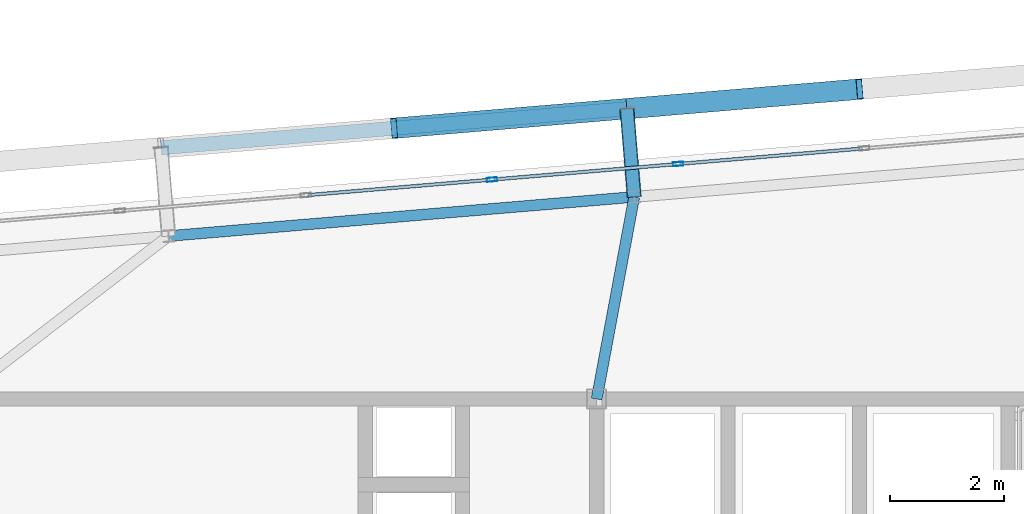
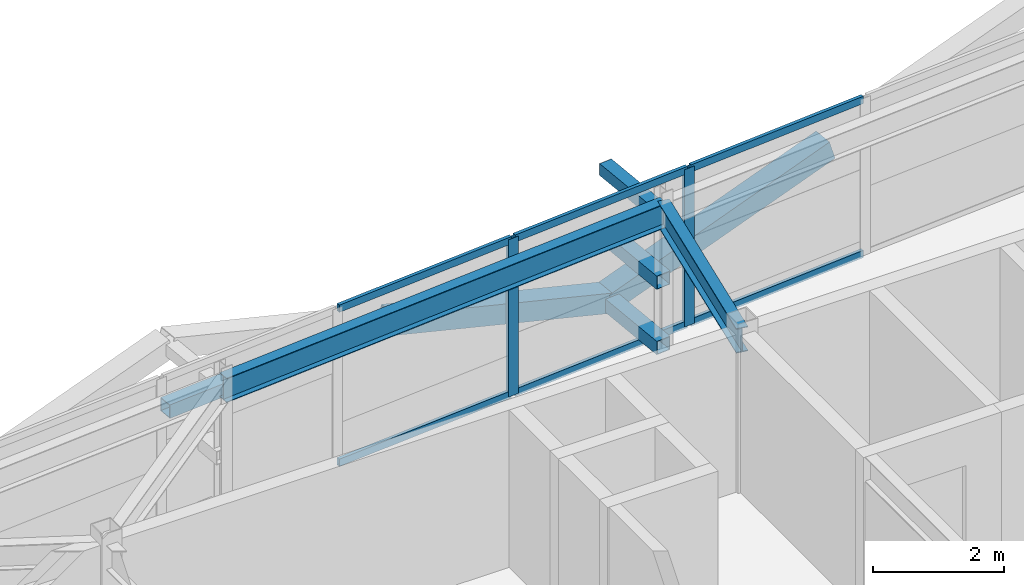
# One storey, part 29 of 46: 14 members, 2 beams, 1 element without a shape of its own.
"""IFC4 building model written with IfcOpenShell, lengths in metres."""

from ifc_helpers import new_model, si_unit, direction, frame, origin, origin_2d, place, context, subcontext, project, spatial, hollow_rectangle, i_section, extrude, source, transform, mapped, material, layer, layer_set, material_profile, profile_set, type_object, element, aggregate, save


model = new_model("IFC4")

# Units and contexts
model_context = context("Model", 3, precision=1e-05, world=origin(), true_north=direction((0.0, 1.0)))
body_context = subcontext(model_context, "Body", "Model", "MODEL_VIEW")
ifc_project = project(units=[si_unit("LENGTHUNIT", "METRE"), si_unit("AREAUNIT", "SQUARE_METRE"), si_unit("VOLUMEUNIT", "CUBIC_METRE"), si_unit("PLANEANGLEUNIT", "RADIAN"), si_unit("MASSUNIT", "GRAM", prefix="KILO")], contexts=[model_context])

# Site, building, storey
site_placement = place(None, origin())
site = spatial("IfcSite", under=ifc_project, at=site_placement, CompositionType="ELEMENT")
building_placement = place(site_placement, origin())
building = spatial("IfcBuilding", under=site, at=building_placement, Name="Taldren Reach Tower", CompositionType="ELEMENT")
storey_placement = place(building_placement, frame((0.0, 0.0, 188.300048828125)))
storey = spatial("IfcBuildingStorey", under=building, at=storey_placement, Name="L57", CompositionType="ELEMENT", Elevation=188.300048828125)

# Members
ifc_material_1 = material(Name="Steel Gr 350 (C350L0)", Category="steel")
ifc_material_profile_1 = material_profile(ifc_material_1, hollow_rectangle(XDim=0.25, YDim=0.25, WallThickness=0.010009765625, at=origin_2d()), Name="250x250x10.0SHS")
ifc_profile_set_1 = profile_set([ifc_material_profile_1], Name="Steel Gr 350 (C350L0)")
member_type_1 = type_object("IfcMemberType", Name="MB-POST250", PredefinedType="POST", material=ifc_profile_set_1)
shared_shape_1 = source(origin(), body_context, "Body", "SweptSolid", [
    extrude(hollow_rectangle(XDim=0.25, YDim=0.25, WallThickness=0.010009765625, at=origin_2d()), origin(), (0.0, 0.0, 1.0), 1.5498046875),
])
for number, where, z_axis, x_axis, name in (
    (1, (39.857666015625, 35.537109375, 0.219970703125), (-0.083645141657, 0.996495604746, 0.0), (-0.996495604746, -0.083645141657, 0.0), "Exoskeleton base diaphragm tie strut B4-N4 L57"),
    (2, (39.857666015625, 35.537109375, 1.43505859375), (-0.083645141657, 0.996495604746, 0.0), (-0.996495604746, -0.083645141657, 0.0), "Exoskeleton mid-tier diaphragm tie B4-N4 L57"),
):
    element("IfcMember", number, at=place(storey_placement, frame(where, z_axis=z_axis, x_axis=x_axis)), inside=storey, type_object=member_type_1, Name=name, PredefinedType="POST", context=body_context, shape_type="MappedRepresentation", body=[
        mapped(shared_shape_1, transform((0.0, 0.0, 0.0), scale=1.0)),
    ])

# Beams
ifc_material_2 = material(Name="Steel Gr 350 (350PLUS)", Category="steel")
ifc_material_profile_2 = material_profile(ifc_material_2, i_section(OverallWidth=0.18994140625, OverallDepth=0.4541015625, WebThickness=0.008544921875, FlangeThickness=0.0126953125, at=origin_2d()), Name="460UB67.1")
ifc_profile_set_2 = profile_set([ifc_material_profile_2], Name="Steel Gr 350 (350PLUS)")
beam_type_1 = type_object("IfcBeamType", Name="SP-UB460B", PredefinedType="SPANDREL", material=ifc_profile_set_2)
shared_shape_2 = source(origin(), body_context, "Body", "SweptSolid", [
    extrude(i_section(OverallWidth=0.18994140625, OverallDepth=0.4541015625, WebThickness=0.008544921875, FlangeThickness=0.0126953125, at=origin_2d()), origin(), (0.0, 0.0, 1.0), 8.18017578125),
])
beam_1_placement = place(storey_placement, frame((39.857666015625, 35.537109375, 2.702880859375), z_axis=(-0.996492034688, -0.083687662192, 0.0), x_axis=(0.083687662192, -0.996492034688, 0.0)))
element("IfcBeam", 3, at=beam_1_placement, inside=storey, type_object=beam_type_1, Name="Perimeter spandrel B4 N4-N3 L57", PredefinedType="SPANDREL", context=body_context, shape_type="MappedRepresentation", body=[
    mapped(shared_shape_2, transform((0.0, 0.0, 0.0), scale=1.0)),
])
ifc_material_profile_3 = material_profile(ifc_material_2, i_section(OverallWidth=0.19091796875, OverallDepth=0.4599609375, WebThickness=0.010009765625, FlangeThickness=0.01611328125, at=origin_2d()), Name="460UB82.1")
ifc_profile_set_3 = profile_set([ifc_material_profile_3], Name="Steel Gr 350 (350PLUS)")
beam_type_2 = type_object("IfcBeamType", Name="BM-UB460A", PredefinedType="BEAM", material=ifc_profile_set_3)
shared_shape_3 = source(origin(), body_context, "Body", "SweptSolid", [
    extrude(i_section(OverallWidth=0.19091796875, OverallDepth=0.4599609375, WebThickness=0.010009765625, FlangeThickness=0.01611328125, at=origin_2d()), origin(), (0.0, 0.0, 1.0), 3.59765625),
])
beam_2_placement = place(storey_placement, frame((39.199951171875, 32.0, 2.699951171875), z_axis=(0.182813344882, 0.983147639438, 0.0), x_axis=(-0.983147639438, 0.182813344882, 0.0)))
element("IfcBeam", 4, at=beam_2_placement, inside=storey, type_object=beam_type_2, Name="Primary floor girder B4-N4 L57", PredefinedType="BEAM", context=body_context, shape_type="MappedRepresentation", body=[
    mapped(shared_shape_3, transform((0.0, 0.0, 0.0), scale=1.0)),
])

# Members
ifc_material_3 = material(Name="Steel Gr 450 (C450L0)", Category="steel")
ifc_material_profile_4 = material_profile(ifc_material_3, hollow_rectangle(XDim=0.219970703125, YDim=0.219970703125, WallThickness=0.00830078125, at=origin_2d()), Name="220x220x8.2SHS")
ifc_profile_set_4 = profile_set([ifc_material_profile_4], Name="Steel Gr 450 (C450L0)")
member_type_2 = type_object("IfcMemberType", Name="MB-TIE219", PredefinedType="STRUT", material=ifc_profile_set_4)
shared_shape_4 = source(origin(), body_context, "Body", "SweptSolid", [
    extrude(hollow_rectangle(XDim=0.219970703125, YDim=0.219970703125, WallThickness=0.00830078125, at=origin_2d()), origin(), (0.0, 0.0, 1.0), 1.5498046875),
])
member_1_placement = place(storey_placement, frame((39.857666015625, 35.537109375, 2.64990234375), z_axis=(-0.083645141657, 0.996495604746, 0.0), x_axis=(-0.996495604746, -0.083645141657, 0.0)))
element("IfcMember", 5, at=member_1_placement, inside=storey, type_object=member_type_2, Name="Exoskeleton diaphragm tie strut B4-N4 L57", PredefinedType="STRUT", context=body_context, shape_type="MappedRepresentation", body=[
    mapped(shared_shape_4, transform((0.0, 0.0, 0.0), scale=1.0)),
])
shared_shape_5 = source(origin(), body_context, "Body", "SweptSolid", [
    extrude(hollow_rectangle(XDim=0.25, YDim=0.25, WallThickness=0.010009765625, at=origin_2d()), origin(), (0.0, 0.0, 1.0), 8.18017578125),
])
member_2_placement = place(storey_placement, frame((31.57666015625, 36.39697265625, 1.43505859375), z_axis=(0.996492034688, 0.083687662192, 0.0), x_axis=(-0.083687662192, 0.996492034688, 0.0)))
element("IfcMember", 6, at=member_2_placement, inside=storey, type_object=member_type_1, Name="Exoskeleton mid-height ring chord B4-N3 L57", PredefinedType="POST", context=body_context, shape_type="MappedRepresentation", body=[
    mapped(shared_shape_5, transform((0.0, 0.0, 0.0), scale=1.0)),
])
ifc_material_profile_5 = material_profile(ifc_material_3, hollow_rectangle(XDim=0.360107421875, YDim=0.360107421875, WallThickness=0.0126953125, at=origin_2d()), Name="360x360x12.7SHS")
ifc_profile_set_5 = profile_set([ifc_material_profile_5], Name="Steel Gr 450 (C450L0)")
member_type_3 = type_object("IfcMemberType", Name="MB-EXO356", PredefinedType="BRACE", material=ifc_profile_set_5)
shared_shape_6 = source(origin(), body_context, "Body", "SweptSolid", [
    extrude(hollow_rectangle(XDim=0.360107421875, YDim=0.360107421875, WallThickness=0.0126953125, at=origin_2d()), origin(), (0.0, 0.0, 1.0), 4.2666015625),
])
for number, where, z_axis, x_axis, name in (
    (7, (39.72802734375, 37.08154296875, 0.219970703125), (-0.955229159097, -0.080222312271, 0.284783486572), (0.083687662192, -0.996492034688, 0.0), "Exoskeleton Diagrid Brace B4-N3 L57"),
    (8, (39.72802734375, 37.08154296875, 0.219970703125), (0.955229159097, 0.080222312271, 0.284783486572), (-0.083687662192, 0.996492034688, 0.0), "Exoskeleton Diagrid Brace B4-N4 L57"),
):
    element("IfcMember", number, at=place(storey_placement, frame(where, z_axis=z_axis, x_axis=x_axis)), inside=storey, type_object=member_type_3, Name=name, PredefinedType="BRACE", context=body_context, shape_type="MappedRepresentation", body=[
        mapped(shared_shape_6, transform((0.0, 0.0, 0.0), scale=1.0)),
    ])

# Curtain wall, members
ifc_material_4 = material(Name="Aluminium and Low-E Glass Unitised System", Category="aluminium")
ifc_layer = layer(ifc_material_4, 0.159912109375)
ifc_layer_set = layer_set([ifc_layer], Name="Aluminium and Low-E Glass Unitised System")
curtain_wall_type = type_object("IfcCurtainWallType", Name="CW-SYS-5", PredefinedType="NOTDEFINED", material=ifc_layer_set)
curtain_wall_placement = place(storey_placement, origin())
curtain_wall = element("IfcCurtainWall", 9, at=curtain_wall_placement, inside=storey, type_object=curtain_wall_type, Name="Unitised curtain wall CW-L57-N", PredefinedType="NOTDEFINED")
ifc_material_5 = material(Name="Anodised Aluminium 6063-T6", Category="aluminium")
ifc_material_profile_6 = material_profile(ifc_material_5, hollow_rectangle(XDim=0.070068359375, YDim=0.179931640625, WallThickness=0.00390625, at=origin_2d()), Name="ALU-180x70x4RHS")
ifc_profile_set_6 = profile_set([ifc_material_profile_6], Name="Anodised Aluminium 6063-T6")
member_type_4 = type_object("IfcMemberType", Name="CW-MUL-180", PredefinedType="MULLION", material=ifc_profile_set_6)
shared_shape_7 = source(origin(), body_context, "Body", "SweptSolid", [
    extrude(hollow_rectangle(XDim=0.070068359375, YDim=0.179931640625, WallThickness=0.00390625, at=origin_2d()), origin(), (0.0, 0.0, 1.0), 2.929931640625),
])
member_3_placement = place(storey_placement, frame((40.6259765625, 36.11328125, 0.0), z_axis=(0.0, 0.0, 1.0), x_axis=(0.083677875247, -0.99649285657, 0.0)))
member_3 = element("IfcMember", 10, at=member_3_placement, type_object=member_type_4, Name="CW-5 mullion 6", PredefinedType="MULLION", context=body_context, shape_type="MappedRepresentation", body=[
    mapped(shared_shape_7, transform((0.0, 0.0, 0.0), scale=1.0)),
])
member_4_placement = place(storey_placement, frame((37.3681640625, 35.83984375, 0.0), z_axis=(0.0, 0.0, 1.0), x_axis=(0.083677875247, -0.99649285657, 0.0)))
member_4 = element("IfcMember", 11, at=member_4_placement, type_object=member_type_4, Name="CW-5 mullion 7", PredefinedType="MULLION", context=body_context, shape_type="MappedRepresentation", body=[
    mapped(shared_shape_7, transform((0.0, 0.0, 0.0), scale=1.0)),
])
ifc_material_profile_7 = material_profile(ifc_material_5, hollow_rectangle(XDim=0.06005859375, YDim=0.135009765625, WallThickness=0.00341796875, at=origin_2d()), Name="ALU-135x60x3.5RHS")
ifc_profile_set_7 = profile_set([ifc_material_profile_7], Name="Anodised Aluminium 6063-T6")
member_type_5 = type_object("IfcMemberType", Name="CW-TRN-150", PredefinedType="USERDEFINED", material=ifc_profile_set_7)
shared_shape_8 = source(origin(), body_context, "Body", "SweptSolid", [
    extrude(hollow_rectangle(XDim=0.06005859375, YDim=0.135009765625, WallThickness=0.00341796875, at=origin_2d()), origin(), (0.0, 0.0, 1.0), 3.19921875),
])
member_5_placement = place(storey_placement, frame((43.848876953125, 36.384033203125, 0.030029296875), z_axis=(-0.996489746258, -0.083714906697, 0.0), x_axis=(0.083714906697, -0.996489746258, 0.0)))
member_5 = element("IfcMember", 12, at=member_5_placement, type_object=member_type_5, Name="CW-5 transom 5.1", ObjectType="TRANSOM", PredefinedType="USERDEFINED", context=body_context, shape_type="MappedRepresentation", body=[
    mapped(shared_shape_8, transform((0.0, 0.0, 0.0), scale=1.0)),
])
member_6_placement = place(storey_placement, frame((43.848876953125, 36.384033203125, 2.89990234375), z_axis=(-0.996489746258, -0.083714906697, 0.0), x_axis=(0.083714906697, -0.996489746258, 0.0)))
member_6 = element("IfcMember", 13, at=member_6_placement, type_object=member_type_5, Name="CW-5 transom 5.2", ObjectType="TRANSOM", PredefinedType="USERDEFINED", context=body_context, shape_type="MappedRepresentation", body=[
    mapped(shared_shape_8, transform((0.0, 0.0, 0.0), scale=1.0)),
])
member_7_placement = place(storey_placement, frame((40.591064453125, 36.1103515625, 0.030029296875), z_axis=(-0.996496109493, -0.083639128198, 0.0), x_axis=(0.083639128198, -0.996496109493, 0.0)))
member_7 = element("IfcMember", 14, at=member_7_placement, type_object=member_type_5, Name="CW-5 transom 6.1", ObjectType="TRANSOM", PredefinedType="USERDEFINED", context=body_context, shape_type="MappedRepresentation", body=[
    mapped(shared_shape_8, transform((0.0, 0.0, 0.0), scale=1.0)),
])
member_8_placement = place(storey_placement, frame((40.591064453125, 36.1103515625, 2.89990234375), z_axis=(-0.996496109493, -0.083639128198, 0.0), x_axis=(0.083639128198, -0.996496109493, 0.0)))
member_8 = element("IfcMember", 15, at=member_8_placement, type_object=member_type_5, Name="CW-5 transom 6.2", ObjectType="TRANSOM", PredefinedType="USERDEFINED", context=body_context, shape_type="MappedRepresentation", body=[
    mapped(shared_shape_8, transform((0.0, 0.0, 0.0), scale=1.0)),
])
member_9_placement = place(storey_placement, frame((37.33349609375, 35.8369140625, 0.030029296875), z_axis=(-0.996489746258, -0.083714906697, 0.0), x_axis=(0.083714906697, -0.996489746258, 0.0)))
member_9 = element("IfcMember", 16, at=member_9_placement, type_object=member_type_5, Name="CW-5 transom 7.1", ObjectType="TRANSOM", PredefinedType="USERDEFINED", context=body_context, shape_type="MappedRepresentation", body=[
    mapped(shared_shape_8, transform((0.0, 0.0, 0.0), scale=1.0)),
])
member_10_placement = place(storey_placement, frame((37.33349609375, 35.8369140625, 2.89990234375), z_axis=(-0.996489746258, -0.083714906697, 0.0), x_axis=(0.083714906697, -0.996489746258, 0.0)))
member_10 = element("IfcMember", 17, at=member_10_placement, type_object=member_type_5, Name="CW-5 transom 7.2", ObjectType="TRANSOM", PredefinedType="USERDEFINED", context=body_context, shape_type="MappedRepresentation", body=[
    mapped(shared_shape_8, transform((0.0, 0.0, 0.0), scale=1.0)),
])
aggregate(curtain_wall, [member_3, member_4, member_5, member_6, member_7, member_8, member_9, member_10])

save(model, "model.ifc")
